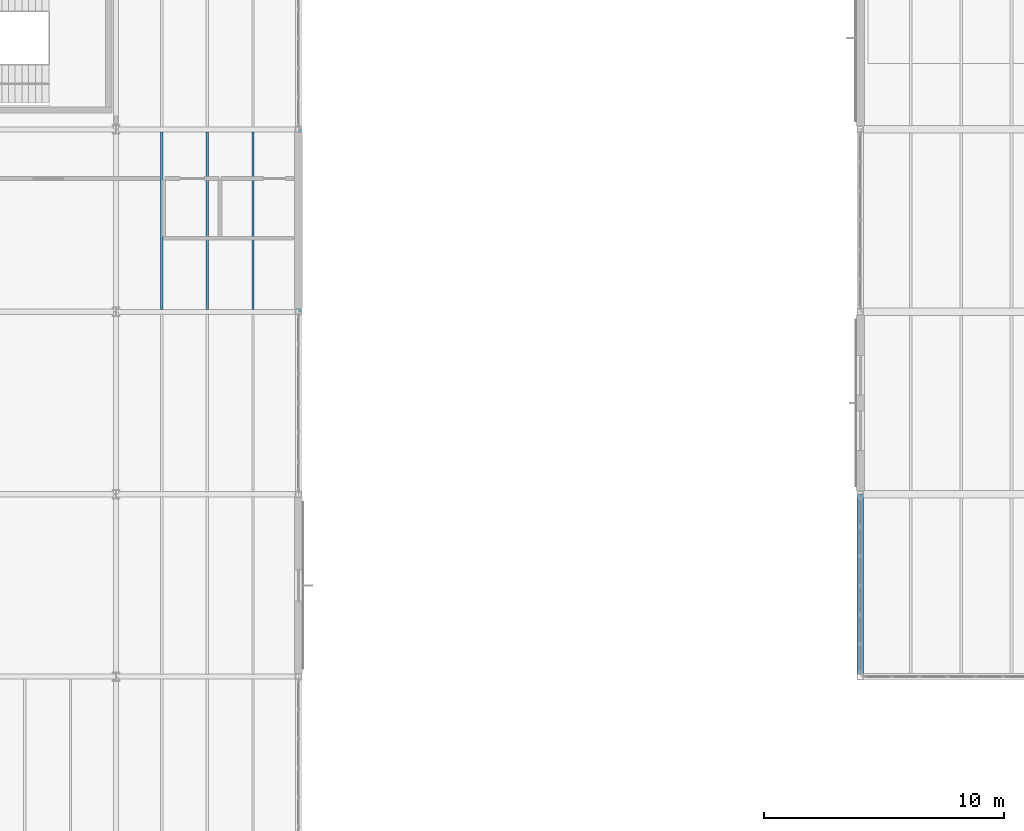
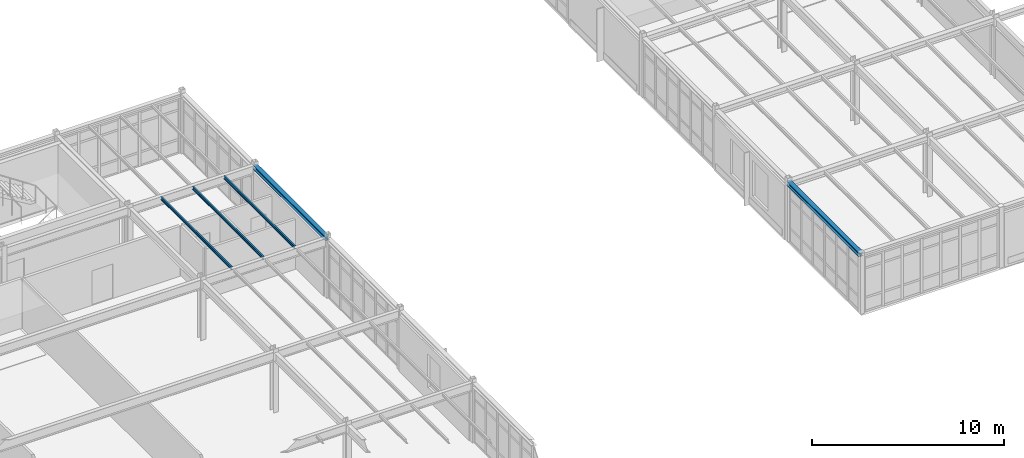
# One storey, part 70 of 189: 5 beams.
"""IFC4 building model written with IfcOpenShell, lengths in metres."""

from ifc_helpers import new_model, si_unit, direction, frame, origin, origin_2d, place, context, subcontext, project, spatial, i_section, extrude, material, material_profile, profile_set, type_object, element, save


model = new_model("IFC4")

# Units and contexts
model_context = context("Model", 3, precision=1e-05, world=origin(), true_north=direction((0.0, 1.0)))
body_context = subcontext(model_context, "Body", "Model", "MODEL_VIEW")
ifc_project = project(units=[si_unit("LENGTHUNIT", "METRE"), si_unit("AREAUNIT", "SQUARE_METRE"), si_unit("VOLUMEUNIT", "CUBIC_METRE"), si_unit("PLANEANGLEUNIT", "RADIAN"), si_unit("MASSUNIT", "GRAM", prefix="KILO")], contexts=[model_context])

# Site, building, storey
site_placement = place(None, origin())
site = spatial("IfcSite", under=ifc_project, at=site_placement, CompositionType="ELEMENT")
building_placement = place(site_placement, origin())
building = spatial("IfcBuilding", under=site, at=building_placement, Name="Montecoro Central Library", CompositionType="ELEMENT")
storey_placement = place(building_placement, frame((0.0, 0.0, 9.179931640625)))
storey = spatial("IfcBuildingStorey", under=building, at=storey_placement, Name="L02", CompositionType="ELEMENT", Elevation=9.179931640625)

# Beams
ifc_material = material(Name="Steel S355", Category="steel")
ifc_material_profile_1 = material_profile(ifc_material, i_section(OverallWidth=0.091064453125, OverallDepth=0.179931640625, WebThickness=0.00537109375, FlangeThickness=0.008056640625, at=origin_2d()), Name="IPE 180")
ifc_profile_set_1 = profile_set([ifc_material_profile_1], Name="Steel S355")
beam_type_1 = type_object("IfcBeamType", Name="BM-J-IPE180", PredefinedType="JOIST", material=ifc_profile_set_1)
for number, where, z_axis, x_axis, name in (
    (1, (37.300048828125, 96.302001953125, 3.735107421875), (0.0, 1.0, 0.0), (-1.0, 0.0, 0.0), "V4-L02-JS-56-NP-1"),
    (2, (39.199951171875, 96.302001953125, 3.735107421875), (0.0, 1.0, 0.0), (-1.0, 0.0, 0.0), "V4-L02-JS-56-NP-2"),
    (3, (41.10009765625, 96.302001953125, 3.735107421875), (0.0, 1.0, 0.0), (-1.0, 0.0, 0.0), "V4-L02-JS-56-NP-3"),
):
    element("IfcBeam", number, at=place(storey_placement, frame(where, z_axis=z_axis, x_axis=x_axis)), inside=storey, type_object=beam_type_1, Name=name, PredefinedType="JOIST", context=body_context, shape_type="SweptSolid", body=[
        extrude(i_section(OverallWidth=0.091064453125, OverallDepth=0.179931640625, WebThickness=0.00537109375, FlangeThickness=0.008056640625, at=origin_2d()), origin(), (0.0, 0.0, 1.0), 7.39599609375),
    ])
ifc_material_profile_2 = material_profile(ifc_material, i_section(OverallWidth=0.260009765625, OverallDepth=0.25, WebThickness=0.007568359375, FlangeThickness=0.012451171875, at=origin_2d()), Name="HEA 260")
ifc_profile_set_2 = profile_set([ifc_material_profile_2], Name="Steel S355")
beam_type_2 = type_object("IfcBeamType", Name="BM-SP-HEA260", PredefinedType="SPANDREL", material=ifc_profile_set_2)
beam_1_placement = place(storey_placement, frame((66.39990234375, 81.0048828125, 3.699951171875), z_axis=(0.0, 1.0, 0.0), x_axis=(-1.0, 0.0, 0.0)))
element("IfcBeam", 4, at=beam_1_placement, inside=storey, type_object=beam_type_2, Name="V2-L02-BY-9-LM", PredefinedType="SPANDREL", context=body_context, shape_type="SweptSolid", body=[
    extrude(i_section(OverallWidth=0.260009765625, OverallDepth=0.25, WebThickness=0.007568359375, FlangeThickness=0.012451171875, at=origin_2d()), origin(), (0.0, 0.0, 1.0), 7.590087890625),
])
beam_2_placement = place(storey_placement, frame((43.0, 96.205078125, 3.699951171875), z_axis=(0.0, 1.0, 0.0), x_axis=(-1.0, 0.0, 0.0)))
element("IfcBeam", 5, at=beam_2_placement, inside=storey, type_object=beam_type_2, Name="V4-L02-BY-6-NP", PredefinedType="SPANDREL", context=body_context, shape_type="SweptSolid", body=[
    extrude(i_section(OverallWidth=0.260009765625, OverallDepth=0.25, WebThickness=0.007568359375, FlangeThickness=0.012451171875, at=origin_2d()), origin(), (0.0, 0.0, 1.0), 7.58984375),
])

save(model, "model.ifc")
